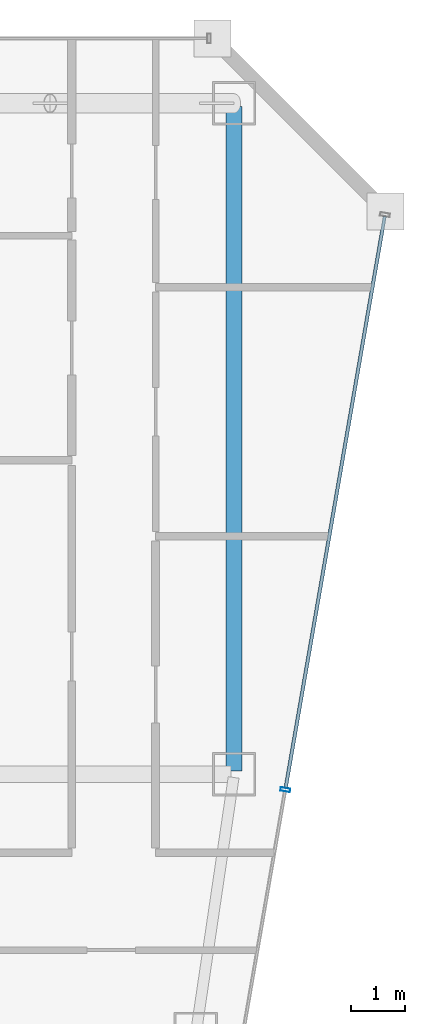
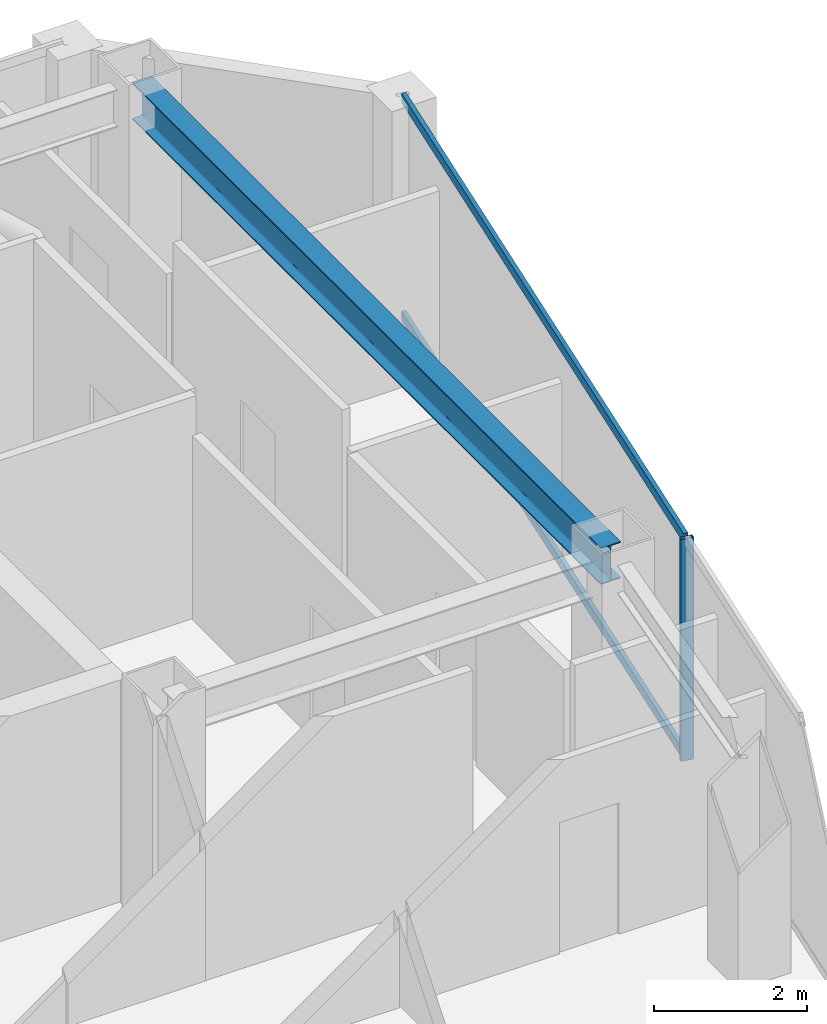
# One storey, part 18 of 33: 3 members, 1 beam, 1 element without a shape of its own.
"""IFC4 building model written with IfcOpenShell, lengths in metres."""

from ifc_helpers import new_model, si_unit, direction, frame, origin, origin_2d, place, context, subcontext, project, spatial, hollow_rectangle, i_section, extrude, material, material_profile, profile_set, type_object, element, aggregate, save


model = new_model("IFC4")

# Units and contexts
model_context = context("Model", 3, precision=1e-05, world=origin(), true_north=direction((0.0, 1.0)))
body_context = subcontext(model_context, "Body", "Model", "MODEL_VIEW")
ifc_project = project(units=[si_unit("LENGTHUNIT", "METRE"), si_unit("AREAUNIT", "SQUARE_METRE"), si_unit("VOLUMEUNIT", "CUBIC_METRE"), si_unit("PLANEANGLEUNIT", "RADIAN"), si_unit("MASSUNIT", "GRAM", prefix="KILO")], contexts=[model_context])

# Site, building, storey
site_placement = place(None, origin())
site = spatial("IfcSite", under=ifc_project, at=site_placement, CompositionType="ELEMENT")
building_placement = place(site_placement, origin())
building = spatial("IfcBuilding", under=site, at=building_placement, Name="Saevonmaru Cultural Tower", CompositionType="ELEMENT")
storey_placement = place(building_placement, frame((0.0, 0.0, 234.39990234375)))
storey = spatial("IfcBuildingStorey", under=building, at=storey_placement, Name="L54", CompositionType="ELEMENT", Elevation=234.39990234375)

# Beam
ifc_material_1 = material(Name="Steel SM355", Category="steel")
ifc_material_profile_1 = material_profile(ifc_material_1, i_section(OverallWidth=0.300048828125, OverallDepth=0.587890625, WebThickness=0.011962890625, FlangeThickness=0.02001953125, FilletRadius=0.02392578125, at=origin_2d()), Name="H-588x300x12x20")
ifc_profile_set_1 = profile_set([ifc_material_profile_1], Name="Steel SM355")
beam_type = type_object("IfcBeamType", Name="BM-G-H588", PredefinedType="BEAM", material=ifc_profile_set_1)
beam_placement = place(storey_placement, frame((53.199951171875, 54.739990234375, 3.256103515625), z_axis=(0.0, -1.0, 0.0), x_axis=(1.0, 0.0, 0.0)))
element("IfcBeam", 1, at=beam_placement, inside=storey, type_object=beam_type, Name="L54 Spine Transverse Girder E", PredefinedType="BEAM", context=body_context, shape_type="SweptSolid", body=[
    extrude(i_section(OverallWidth=0.300048828125, OverallDepth=0.587890625, WebThickness=0.011962890625, FlangeThickness=0.02001953125, FilletRadius=0.02392578125, at=origin_2d()), origin(), (0.0, 0.0, 1.0), 12.280029296875),
])

# Curtain wall, members
ifc_material_2 = material(Name="Satin Bronze Anodised Aluminium", Category="aluminium")
curtain_wall_type = type_object("IfcCurtainWallType", Name="CW-TYP-B", PredefinedType="NOTDEFINED", material=ifc_material_2)
curtain_wall_placement = place(storey_placement, origin())
curtain_wall = element("IfcCurtainWall", 2, at=curtain_wall_placement, inside=storey, type_object=curtain_wall_type, Name="L54 Unitised Curtain Wall E8", PredefinedType="NOTDEFINED")
ifc_material_profile_2 = material_profile(ifc_material_2, hollow_rectangle(XDim=0.06494140625, YDim=0.179931640625, WallThickness=0.00390625, at=origin_2d()), Name="ALU-MULL-180x65x4")
ifc_profile_set_2 = profile_set([ifc_material_profile_2], Name="Satin Bronze Anodised Aluminium")
member_type_1 = type_object("IfcMemberType", Name="ML-CW-180x65", PredefinedType="MULLION", material=ifc_profile_set_2)
member_1_placement = place(storey_placement, frame((54.147705078125, 42.113525390625, 0.0), z_axis=(0.0, 0.0, 1.0), x_axis=(0.170790369887, 0.985307388359, 0.0)))
member_1 = element("IfcMember", 3, at=member_1_placement, type_object=member_type_1, Name="CW-TW-L54-E8 mullion 3", PredefinedType="MULLION", context=body_context, shape_type="SweptSolid", body=[
    extrude(hollow_rectangle(XDim=0.06494140625, YDim=0.179931640625, WallThickness=0.00390625, at=origin_2d()), origin(), (0.0, 0.0, 1.0), 3.550048828125),
])
ifc_material_profile_3 = material_profile(ifc_material_2, hollow_rectangle(XDim=0.06494140625, YDim=0.14990234375, WallThickness=0.00390625, at=origin_2d()), Name="ALU-TRAN-150x65x4")
ifc_profile_set_3 = profile_set([ifc_material_profile_3], Name="Satin Bronze Anodised Aluminium")
member_type_2 = type_object("IfcMemberType", Name="TR-CW-150x65", PredefinedType="USERDEFINED", material=ifc_profile_set_3)
member_2_placement = place(storey_placement, frame((54.1533203125, 42.145751953125, 0.03271484375), z_axis=(0.170773163608, 0.985310370691, 0.0), x_axis=(-0.985310370691, 0.170773163608, 0.0)))
member_2 = element("IfcMember", 4, at=member_2_placement, type_object=member_type_2, Name="CW-TW-L54-E8 transom 3.1", ObjectType="TRANSOM", PredefinedType="USERDEFINED", context=body_context, shape_type="SweptSolid", body=[
    extrude(hollow_rectangle(XDim=0.06494140625, YDim=0.14990234375, WallThickness=0.00390625, at=origin_2d()), origin(), (0.0, 0.0, 1.0), 10.720703125),
])
member_3_placement = place(storey_placement, frame((54.1533203125, 42.145751953125, 3.517578125), z_axis=(0.170773163608, 0.985310370691, 0.0), x_axis=(-0.985310370691, 0.170773163608, 0.0)))
member_3 = element("IfcMember", 5, at=member_3_placement, type_object=member_type_2, Name="CW-TW-L54-E8 transom 3.2", ObjectType="TRANSOM", PredefinedType="USERDEFINED", context=body_context, shape_type="SweptSolid", body=[
    extrude(hollow_rectangle(XDim=0.06494140625, YDim=0.14990234375, WallThickness=0.00390625, at=origin_2d()), origin(), (0.0, 0.0, 1.0), 10.720703125),
])
aggregate(curtain_wall, [member_1, member_2, member_3])

save(model, "model.ifc")
